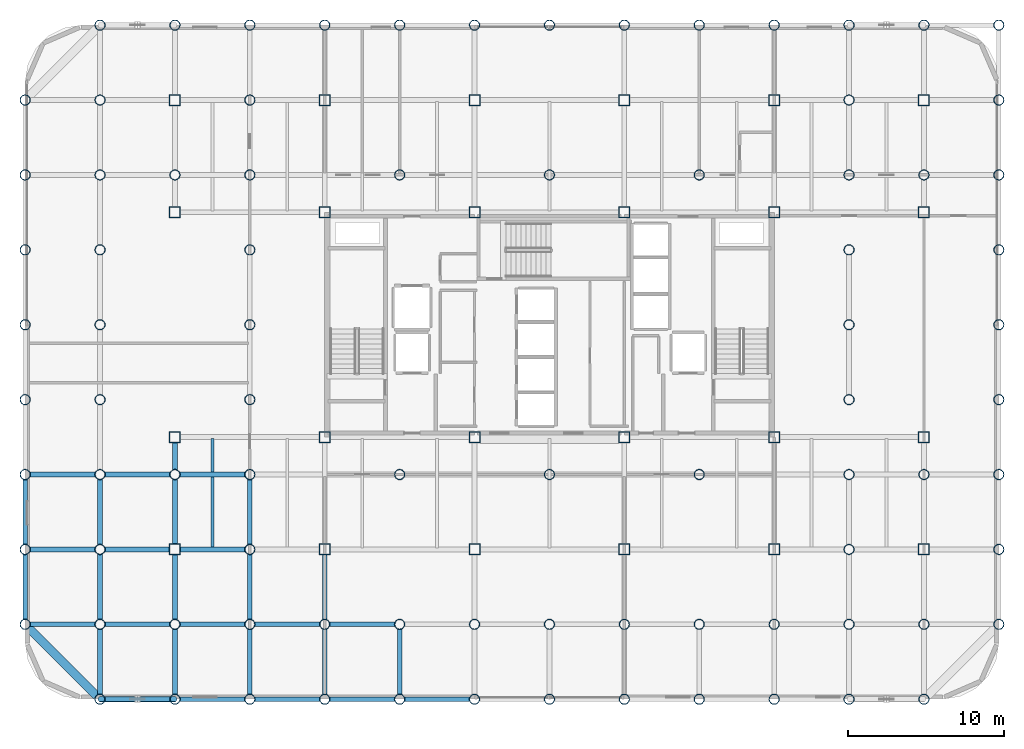
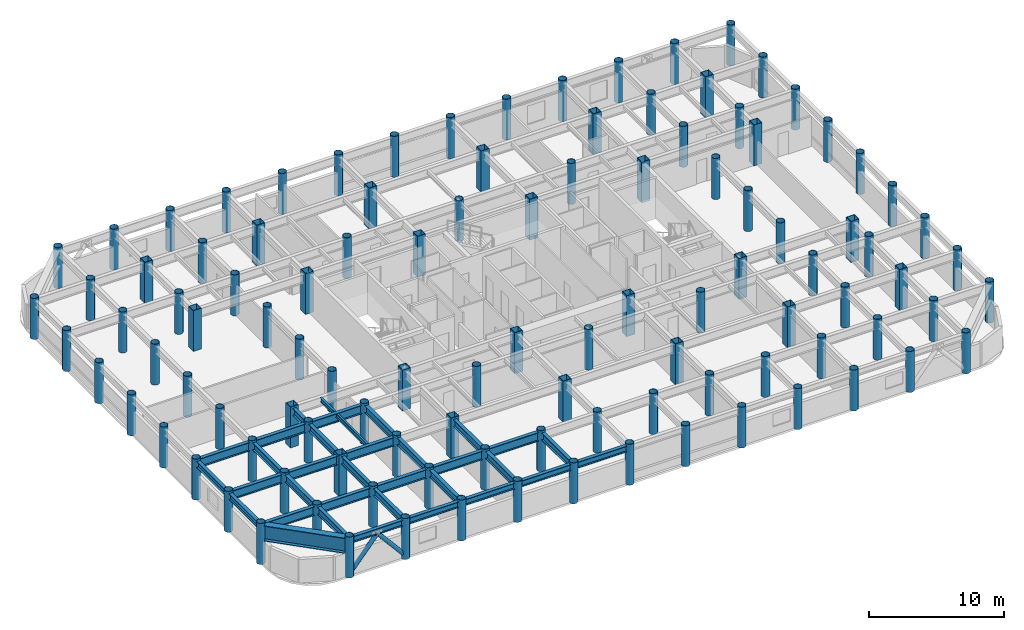
# One storey, part 1 of 19: 108 columns, 33 beams, 2 members.
"""IFC4 building model written with IfcOpenShell, lengths in metres."""

from ifc_helpers import new_model, si_unit, direction, frame, origin, origin_2d, place, context, subcontext, project, spatial, hollow_rectangle, hollow_circle, i_section, extrude, material, material_profile, profile_set, type_object, element, save


model = new_model("IFC4")

# Units and contexts
model_context = context("Model", 3, precision=1e-05, world=origin(), true_north=direction((0.0, 1.0)))
body_context = subcontext(model_context, "Body", "Model", "MODEL_VIEW")
ifc_project = project(units=[si_unit("LENGTHUNIT", "METRE"), si_unit("AREAUNIT", "SQUARE_METRE"), si_unit("VOLUMEUNIT", "CUBIC_METRE"), si_unit("PLANEANGLEUNIT", "RADIAN"), si_unit("MASSUNIT", "GRAM", prefix="KILO")], contexts=[model_context])

# Site, building, storey
site_placement = place(None, origin())
site = spatial("IfcSite", under=ifc_project, at=site_placement, CompositionType="ELEMENT")
building_placement = place(site_placement, origin())
building = spatial("IfcBuilding", under=site, at=building_placement, Name="Kallvorn Hotel Tower", CompositionType="ELEMENT")
storey_placement = place(building_placement, frame((0.0, 0.0, 169.199951171875)))
storey = spatial("IfcBuildingStorey", under=building, at=storey_placement, Name="L42", CompositionType="ELEMENT", Elevation=169.199951171875)

# Columns
ifc_material_1 = material(Name="Structural steel S355J2H", Category="steel")
ifc_material_profile_1 = material_profile(ifc_material_1, hollow_circle(Radius=0.330078125, WallThickness=0.028076171875, at=origin_2d()), Name="CHS 660x28")
ifc_profile_set_1 = profile_set([ifc_material_profile_1], Name="Structural steel S355J2H")
column_type_1 = type_object("IfcColumnType", Name="COL_CHS_660", PredefinedType="COLUMN", material=ifc_profile_set_1)
for number, where, z_axis, x_axis, name in (
    (1, (-33.60009765625, -19.199951171875, 0.0), (0.0, 0.0, 1.0), (1.0, 0.0, 0.0), "L42 Exoskeleton Column EC01"),
    (2, (-33.60009765625, -14.39990234375, 0.0), (0.0, 0.0, 1.0), (1.0, 0.0, 0.0), "L42 Exoskeleton Column EC02"),
    (3, (-33.60009765625, -9.60009765625, 0.0), (0.0, 0.0, 1.0), (1.0, 0.0, 0.0), "L42 Exoskeleton Column EC03"),
    (4, (-33.60009765625, -4.800048828125, 0.0), (0.0, 0.0, 1.0), (1.0, 0.0, 0.0), "L42 Exoskeleton Column EC04"),
    (5, (-33.60009765625, 0.0, 0.0), (0.0, 0.0, 1.0), (1.0, 0.0, 0.0), "L42 Exoskeleton Column EC05"),
    (6, (-33.60009765625, 4.800048828125, 0.0), (0.0, 0.0, 1.0), (1.0, 0.0, 0.0), "L42 Exoskeleton Column EC06"),
    (7, (-33.60009765625, 9.60009765625, 0.0), (0.0, 0.0, 1.0), (1.0, 0.0, 0.0), "L42 Exoskeleton Column EC07"),
    (8, (-33.60009765625, 14.39990234375, 0.0), (0.0, 0.0, 1.0), (1.0, 0.0, 0.0), "L42 Exoskeleton Column EC08"),
    (9, (-28.800048828125, -24.0, 0.0), (0.0, 0.0, 1.0), (1.0, 0.0, 0.0), "L42 Exoskeleton Column EC09"),
    (10, (-28.800048828125, -19.199951171875, 0.0), (0.0, 0.0, 1.0), (1.0, 0.0, 0.0), "L42 Exoskeleton Column EC10"),
    (11, (-28.800048828125, -14.39990234375, 0.0), (0.0, 0.0, 1.0), (1.0, 0.0, 0.0), "L42 Exoskeleton Column EC11"),
    (12, (-28.800048828125, -9.60009765625, 0.0), (0.0, 0.0, 1.0), (1.0, 0.0, 0.0), "L42 Exoskeleton Column EC12"),
    (13, (-28.800048828125, -4.800048828125, 0.0), (0.0, 0.0, 1.0), (1.0, 0.0, 0.0), "L42 Exoskeleton Column EC13"),
    (14, (-28.800048828125, 0.0, 0.0), (0.0, 0.0, 1.0), (1.0, 0.0, 0.0), "L42 Exoskeleton Column EC14"),
    (15, (-28.800048828125, 4.800048828125, 0.0), (0.0, 0.0, 1.0), (1.0, 0.0, 0.0), "L42 Exoskeleton Column EC15"),
    (16, (-28.800048828125, 9.60009765625, 0.0), (0.0, 0.0, 1.0), (1.0, 0.0, 0.0), "L42 Exoskeleton Column EC16"),
    (17, (-28.800048828125, 14.39990234375, 0.0), (0.0, 0.0, 1.0), (1.0, 0.0, 0.0), "L42 Exoskeleton Column EC17"),
    (18, (-28.800048828125, 19.199951171875, 0.0), (0.0, 0.0, 1.0), (1.0, 0.0, 0.0), "L42 Exoskeleton Column EC18"),
    (19, (-24.0, -24.0, 0.0), (0.0, 0.0, 1.0), (1.0, 0.0, 0.0), "L42 Exoskeleton Column EC19"),
    (20, (-24.0, -19.199951171875, 0.0), (0.0, 0.0, 1.0), (1.0, 0.0, 0.0), "L42 Exoskeleton Column EC20"),
    (21, (-24.0, -9.60009765625, 0.0), (0.0, 0.0, 1.0), (1.0, 0.0, 0.0), "L42 Exoskeleton Column EC21"),
    (22, (-24.0, 9.60009765625, 0.0), (0.0, 0.0, 1.0), (1.0, 0.0, 0.0), "L42 Exoskeleton Column EC22"),
    (23, (-24.0, 19.199951171875, 0.0), (0.0, 0.0, 1.0), (1.0, 0.0, 0.0), "L42 Exoskeleton Column EC23"),
    (24, (-19.199951171875, -24.0, 0.0), (0.0, 0.0, 1.0), (1.0, 0.0, 0.0), "L42 Exoskeleton Column EC24"),
    (25, (-19.199951171875, -19.199951171875, 0.0), (0.0, 0.0, 1.0), (1.0, 0.0, 0.0), "L42 Exoskeleton Column EC25"),
    (26, (-19.199951171875, -14.39990234375, 0.0), (0.0, 0.0, 1.0), (1.0, 0.0, 0.0), "L42 Exoskeleton Column EC26"),
    (27, (-19.199951171875, -9.60009765625, 0.0), (0.0, 0.0, 1.0), (1.0, 0.0, 0.0), "L42 Exoskeleton Column EC27"),
    (28, (-19.199951171875, -4.800048828125, 0.0), (0.0, 0.0, 1.0), (1.0, 0.0, 0.0), "L42 Exoskeleton Column EC28"),
    (29, (-19.199951171875, 0.0, 0.0), (0.0, 0.0, 1.0), (1.0, 0.0, 0.0), "L42 Exoskeleton Column EC29"),
    (30, (-19.199951171875, 4.800048828125, 0.0), (0.0, 0.0, 1.0), (1.0, 0.0, 0.0), "L42 Exoskeleton Column EC30"),
    (31, (-19.199951171875, 9.60009765625, 0.0), (0.0, 0.0, 1.0), (1.0, 0.0, 0.0), "L42 Exoskeleton Column EC31"),
    (32, (-19.199951171875, 14.39990234375, 0.0), (0.0, 0.0, 1.0), (1.0, 0.0, 0.0), "L42 Exoskeleton Column EC32"),
    (33, (-19.199951171875, 19.199951171875, 0.0), (0.0, 0.0, 1.0), (1.0, 0.0, 0.0), "L42 Exoskeleton Column EC33"),
    (34, (-14.39990234375, -24.0, 0.0), (0.0, 0.0, 1.0), (1.0, 0.0, 0.0), "L42 Exoskeleton Column EC34"),
    (35, (-14.39990234375, -19.199951171875, 0.0), (0.0, 0.0, 1.0), (1.0, 0.0, 0.0), "L42 Exoskeleton Column EC35"),
    (36, (-14.39990234375, 19.199951171875, 0.0), (0.0, 0.0, 1.0), (1.0, 0.0, 0.0), "L42 Exoskeleton Column EC36"),
    (37, (-9.60009765625, -24.0, 0.0), (0.0, 0.0, 1.0), (1.0, 0.0, 0.0), "L42 Exoskeleton Column EC37"),
    (38, (-9.60009765625, -19.199951171875, 0.0), (0.0, 0.0, 1.0), (1.0, 0.0, 0.0), "L42 Exoskeleton Column EC38"),
    (39, (-9.60009765625, -9.60009765625, 0.0), (0.0, 0.0, 1.0), (1.0, 0.0, 0.0), "L42 Exoskeleton Column EC39"),
    (40, (-9.60009765625, 9.60009765625, 0.0), (0.0, 0.0, 1.0), (1.0, 0.0, 0.0), "L42 Exoskeleton Column EC40"),
    (41, (-9.60009765625, 19.199951171875, 0.0), (0.0, 0.0, 1.0), (1.0, 0.0, 0.0), "L42 Exoskeleton Column EC41"),
    (42, (-4.800048828125, -24.0, 0.0), (0.0, 0.0, 1.0), (1.0, 0.0, 0.0), "L42 Exoskeleton Column EC42"),
    (43, (-4.800048828125, -19.199951171875, 0.0), (0.0, 0.0, 1.0), (1.0, 0.0, 0.0), "L42 Exoskeleton Column EC43"),
    (44, (-4.800048828125, 19.199951171875, 0.0), (0.0, 0.0, 1.0), (1.0, 0.0, 0.0), "L42 Exoskeleton Column EC44"),
    (45, (0.0, -24.0, 0.0), (0.0, 0.0, 1.0), (1.0, 0.0, 0.0), "L42 Exoskeleton Column EC45"),
    (46, (0.0, -19.199951171875, 0.0), (0.0, 0.0, 1.0), (1.0, 0.0, 0.0), "L42 Exoskeleton Column EC46"),
    (47, (0.0, -9.60009765625, 0.0), (0.0, 0.0, 1.0), (1.0, 0.0, 0.0), "L42 Exoskeleton Column EC47"),
    (48, (0.0, 9.60009765625, 0.0), (0.0, 0.0, 1.0), (1.0, 0.0, 0.0), "L42 Exoskeleton Column EC48"),
    (49, (0.0, 19.199951171875, 0.0), (0.0, 0.0, 1.0), (1.0, 0.0, 0.0), "L42 Exoskeleton Column EC49"),
    (50, (4.800048828125, -24.0, 0.0), (0.0, 0.0, 1.0), (1.0, 0.0, 0.0), "L42 Exoskeleton Column EC50"),
    (51, (4.800048828125, -19.199951171875, 0.0), (0.0, 0.0, 1.0), (1.0, 0.0, 0.0), "L42 Exoskeleton Column EC51"),
    (52, (4.800048828125, 19.199951171875, 0.0), (0.0, 0.0, 1.0), (1.0, 0.0, 0.0), "L42 Exoskeleton Column EC52"),
    (53, (9.60009765625, -24.0, 0.0), (0.0, 0.0, 1.0), (1.0, 0.0, 0.0), "L42 Exoskeleton Column EC53"),
    (54, (9.60009765625, -19.199951171875, 0.0), (0.0, 0.0, 1.0), (1.0, 0.0, 0.0), "L42 Exoskeleton Column EC54"),
    (55, (9.60009765625, -9.60009765625, 0.0), (0.0, 0.0, 1.0), (1.0, 0.0, 0.0), "L42 Exoskeleton Column EC55"),
    (56, (9.60009765625, 9.60009765625, 0.0), (0.0, 0.0, 1.0), (1.0, 0.0, 0.0), "L42 Exoskeleton Column EC56"),
    (57, (9.60009765625, 19.199951171875, 0.0), (0.0, 0.0, 1.0), (1.0, 0.0, 0.0), "L42 Exoskeleton Column EC57"),
    (58, (14.39990234375, -24.0, 0.0), (0.0, 0.0, 1.0), (1.0, 0.0, 0.0), "L42 Exoskeleton Column EC58"),
    (59, (14.39990234375, -19.199951171875, 0.0), (0.0, 0.0, 1.0), (1.0, 0.0, 0.0), "L42 Exoskeleton Column EC59"),
    (60, (14.39990234375, 19.199951171875, 0.0), (0.0, 0.0, 1.0), (1.0, 0.0, 0.0), "L42 Exoskeleton Column EC60"),
    (61, (19.199951171875, -24.0, 0.0), (0.0, 0.0, 1.0), (1.0, 0.0, 0.0), "L42 Exoskeleton Column EC61"),
    (62, (19.199951171875, -19.199951171875, 0.0), (0.0, 0.0, 1.0), (1.0, 0.0, 0.0), "L42 Exoskeleton Column EC62"),
    (63, (19.199951171875, -14.39990234375, 0.0), (0.0, 0.0, 1.0), (1.0, 0.0, 0.0), "L42 Exoskeleton Column EC63"),
    (64, (19.199951171875, -9.60009765625, 0.0), (0.0, 0.0, 1.0), (1.0, 0.0, 0.0), "L42 Exoskeleton Column EC64"),
    (65, (19.199951171875, -4.800048828125, 0.0), (0.0, 0.0, 1.0), (1.0, 0.0, 0.0), "L42 Exoskeleton Column EC65"),
    (66, (19.199951171875, 0.0, 0.0), (0.0, 0.0, 1.0), (1.0, 0.0, 0.0), "L42 Exoskeleton Column EC66"),
    (67, (19.199951171875, 4.800048828125, 0.0), (0.0, 0.0, 1.0), (1.0, 0.0, 0.0), "L42 Exoskeleton Column EC67"),
    (68, (19.199951171875, 9.60009765625, 0.0), (0.0, 0.0, 1.0), (1.0, 0.0, 0.0), "L42 Exoskeleton Column EC68"),
    (69, (19.199951171875, 14.39990234375, 0.0), (0.0, 0.0, 1.0), (1.0, 0.0, 0.0), "L42 Exoskeleton Column EC69"),
    (70, (19.199951171875, 19.199951171875, 0.0), (0.0, 0.0, 1.0), (1.0, 0.0, 0.0), "L42 Exoskeleton Column EC70"),
    (71, (24.0, -24.0, 0.0), (0.0, 0.0, 1.0), (1.0, 0.0, 0.0), "L42 Exoskeleton Column EC71"),
    (72, (24.0, -19.199951171875, 0.0), (0.0, 0.0, 1.0), (1.0, 0.0, 0.0), "L42 Exoskeleton Column EC72"),
    (73, (24.0, -9.60009765625, 0.0), (0.0, 0.0, 1.0), (1.0, 0.0, 0.0), "L42 Exoskeleton Column EC73"),
    (74, (24.0, 9.60009765625, 0.0), (0.0, 0.0, 1.0), (1.0, 0.0, 0.0), "L42 Exoskeleton Column EC74"),
    (75, (24.0, 19.199951171875, 0.0), (0.0, 0.0, 1.0), (1.0, 0.0, 0.0), "L42 Exoskeleton Column EC75"),
    (76, (28.800048828125, -19.199951171875, 0.0), (0.0, 0.0, 1.0), (1.0, 0.0, 0.0), "L42 Exoskeleton Column EC76"),
    (77, (28.800048828125, -14.39990234375, 0.0), (0.0, 0.0, 1.0), (1.0, 0.0, 0.0), "L42 Exoskeleton Column EC77"),
    (78, (28.800048828125, -9.60009765625, 0.0), (0.0, 0.0, 1.0), (1.0, 0.0, 0.0), "L42 Exoskeleton Column EC78"),
    (79, (28.800048828125, -4.800048828125, 0.0), (0.0, 0.0, 1.0), (1.0, 0.0, 0.0), "L42 Exoskeleton Column EC79"),
    (80, (28.800048828125, 0.0, 0.0), (0.0, 0.0, 1.0), (1.0, 0.0, 0.0), "L42 Exoskeleton Column EC80"),
    (81, (28.800048828125, 4.800048828125, 0.0), (0.0, 0.0, 1.0), (1.0, 0.0, 0.0), "L42 Exoskeleton Column EC81"),
    (82, (28.800048828125, 9.60009765625, 0.0), (0.0, 0.0, 1.0), (1.0, 0.0, 0.0), "L42 Exoskeleton Column EC82"),
    (83, (28.800048828125, 14.39990234375, 0.0), (0.0, 0.0, 1.0), (1.0, 0.0, 0.0), "L42 Exoskeleton Column EC83"),
    (84, (28.800048828125, 19.199951171875, 0.0), (0.0, 0.0, 1.0), (1.0, 0.0, 0.0), "L42 Exoskeleton Column EC84"),
):
    element("IfcColumn", number, at=place(storey_placement, frame(where, z_axis=z_axis, x_axis=x_axis)), inside=storey, type_object=column_type_1, Name=name, PredefinedType="COLUMN", context=body_context, shape_type="SweptSolid", body=[
        extrude(hollow_circle(Radius=0.330078125, WallThickness=0.028076171875, at=origin_2d()), origin(), (0.0, 0.0, 1.0), 3.699951171875),
    ])
ifc_material_2 = material(Name="Structural steel S355J2H", Category="steel")
ifc_material_profile_2 = material_profile(ifc_material_2, hollow_rectangle(XDim=0.699951171875, YDim=0.699951171875, WallThickness=0.031982421875, at=origin_2d()), Name="RHS 700x700x32")
ifc_profile_set_2 = profile_set([ifc_material_profile_2], Name="Structural steel S355J2H")
column_type_2 = type_object("IfcColumnType", Name="COL_RHS_700", PredefinedType="COLUMN", material=ifc_profile_set_2)
for number, where, z_axis, x_axis, name in (
    (85, (-24.0, -14.39990234375, 0.0), (0.0, 0.0, 1.0), (1.0, 0.0, 0.0), "L42 Inner Column IC01"),
    (86, (-24.0, -7.199951171875, 0.0), (0.0, 0.0, 1.0), (1.0, 0.0, 0.0), "L42 Inner Column IC02"),
    (87, (-24.0, 7.199951171875, 0.0), (0.0, 0.0, 1.0), (1.0, 0.0, 0.0), "L42 Inner Column IC03"),
    (88, (-24.0, 14.39990234375, 0.0), (0.0, 0.0, 1.0), (1.0, 0.0, 0.0), "L42 Inner Column IC04"),
    (89, (-14.39990234375, -14.39990234375, 0.0), (0.0, 0.0, 1.0), (1.0, 0.0, 0.0), "L42 Inner Column IC05"),
    (90, (-14.39990234375, -7.199951171875, 0.0), (0.0, 0.0, 1.0), (1.0, 0.0, 0.0), "L42 Inner Column IC06"),
    (91, (-14.39990234375, 7.199951171875, 0.0), (0.0, 0.0, 1.0), (1.0, 0.0, 0.0), "L42 Inner Column IC07"),
    (92, (-14.39990234375, 14.39990234375, 0.0), (0.0, 0.0, 1.0), (1.0, 0.0, 0.0), "L42 Inner Column IC08"),
    (93, (-4.800048828125, -14.39990234375, 0.0), (0.0, 0.0, 1.0), (1.0, 0.0, 0.0), "L42 Inner Column IC09"),
    (94, (-4.800048828125, -7.199951171875, 0.0), (0.0, 0.0, 1.0), (1.0, 0.0, 0.0), "L42 Inner Column IC10"),
    (95, (-4.800048828125, 7.199951171875, 0.0), (0.0, 0.0, 1.0), (1.0, 0.0, 0.0), "L42 Inner Column IC11"),
    (96, (-4.800048828125, 14.39990234375, 0.0), (0.0, 0.0, 1.0), (1.0, 0.0, 0.0), "L42 Inner Column IC12"),
    (97, (4.800048828125, -14.39990234375, 0.0), (0.0, 0.0, 1.0), (1.0, 0.0, 0.0), "L42 Inner Column IC13"),
    (98, (4.800048828125, -7.199951171875, 0.0), (0.0, 0.0, 1.0), (1.0, 0.0, 0.0), "L42 Inner Column IC14"),
    (99, (4.800048828125, 7.199951171875, 0.0), (0.0, 0.0, 1.0), (1.0, 0.0, 0.0), "L42 Inner Column IC15"),
    (100, (4.800048828125, 14.39990234375, 0.0), (0.0, 0.0, 1.0), (1.0, 0.0, 0.0), "L42 Inner Column IC16"),
    (101, (14.39990234375, -14.39990234375, 0.0), (0.0, 0.0, 1.0), (1.0, 0.0, 0.0), "L42 Inner Column IC17"),
    (102, (14.39990234375, -7.199951171875, 0.0), (0.0, 0.0, 1.0), (1.0, 0.0, 0.0), "L42 Inner Column IC18"),
    (103, (14.39990234375, 7.199951171875, 0.0), (0.0, 0.0, 1.0), (1.0, 0.0, 0.0), "L42 Inner Column IC19"),
    (104, (14.39990234375, 14.39990234375, 0.0), (0.0, 0.0, 1.0), (1.0, 0.0, 0.0), "L42 Inner Column IC20"),
    (105, (24.0, -14.39990234375, 0.0), (0.0, 0.0, 1.0), (1.0, 0.0, 0.0), "L42 Inner Column IC21"),
    (106, (24.0, -7.199951171875, 0.0), (0.0, 0.0, 1.0), (1.0, 0.0, 0.0), "L42 Inner Column IC22"),
    (107, (24.0, 7.199951171875, 0.0), (0.0, 0.0, 1.0), (1.0, 0.0, 0.0), "L42 Inner Column IC23"),
    (108, (24.0, 14.39990234375, 0.0), (0.0, 0.0, 1.0), (1.0, 0.0, 0.0), "L42 Inner Column IC24"),
):
    element("IfcColumn", number, at=place(storey_placement, frame(where, z_axis=z_axis, x_axis=x_axis)), inside=storey, type_object=column_type_2, Name=name, PredefinedType="COLUMN", context=body_context, shape_type="SweptSolid", body=[
        extrude(hollow_rectangle(XDim=0.699951171875, YDim=0.699951171875, WallThickness=0.031982421875, at=origin_2d()), origin(), (0.0, 0.0, 1.0), 3.699951171875),
    ])

# Beams
ifc_material_3 = material(Name="Structural steel S355JR", Category="steel")
ifc_material_profile_3 = material_profile(ifc_material_3, i_section(OverallWidth=0.300048828125, OverallDepth=0.550048828125, WebThickness=0.014892578125, FlangeThickness=0.029052734375, at=origin_2d()), Name="HE 550 B")
ifc_profile_set_3 = profile_set([ifc_material_profile_3], Name="Structural steel S355JR")
beam_type_1 = type_object("IfcBeamType", Name="BM_HE550B", PredefinedType="SPANDREL", material=ifc_profile_set_3)
for number, where, z_axis, x_axis, name in (
    (109, (-28.47998046875, -24.0, 3.2451171875), (1.0, 0.0, 0.0), (0.0, 1.0, 0.0), "L43 Perimeter Spandrel 151"),
    (110, (-23.679931640625, -24.0, 3.2451171875), (1.0, 0.0, 0.0), (0.0, 1.0, 0.0), "L43 Perimeter Spandrel 152"),
    (111, (-18.8798828125, -24.0, 3.2451171875), (1.0, 0.0, 0.0), (0.0, 1.0, 0.0), "L43 Perimeter Spandrel 153"),
):
    element("IfcBeam", number, at=place(storey_placement, frame(where, z_axis=z_axis, x_axis=x_axis)), inside=storey, type_object=beam_type_1, Name=name, PredefinedType="SPANDREL", context=body_context, shape_type="SweptSolid", body=[
        extrude(i_section(OverallWidth=0.300048828125, OverallDepth=0.550048828125, WebThickness=0.014892578125, FlangeThickness=0.029052734375, at=origin_2d()), origin(), (0.0, 0.0, 1.0), 4.159912109375),
    ])
beam_1_placement = place(storey_placement, frame((-14.080078125, -24.0, 3.2451171875), z_axis=(1.0, 0.0, 0.0), x_axis=(0.0, 1.0, 0.0)))
element("IfcBeam", 112, at=beam_1_placement, inside=storey, type_object=beam_type_1, Name="L43 Perimeter Spandrel 154", PredefinedType="SPANDREL", context=body_context, shape_type="SweptSolid", body=[
    extrude(i_section(OverallWidth=0.300048828125, OverallDepth=0.550048828125, WebThickness=0.014892578125, FlangeThickness=0.029052734375, at=origin_2d()), origin(), (0.0, 0.0, 1.0), 4.16015625),
])
for number, where, z_axis, x_axis, name in (
    (113, (-9.280029296875, -24.0, 3.2451171875), (1.0, 0.0, 0.0), (0.0, 1.0, 0.0), "L43 Perimeter Spandrel 155"),
    (114, (-33.60009765625, -18.8798828125, 3.2451171875), (0.0, 1.0, 0.0), (-1.0, 0.0, 0.0), "L43 Perimeter Spandrel 174"),
):
    element("IfcBeam", number, at=place(storey_placement, frame(where, z_axis=z_axis, x_axis=x_axis)), inside=storey, type_object=beam_type_1, Name=name, PredefinedType="SPANDREL", context=body_context, shape_type="SweptSolid", body=[
        extrude(i_section(OverallWidth=0.300048828125, OverallDepth=0.550048828125, WebThickness=0.014892578125, FlangeThickness=0.029052734375, at=origin_2d()), origin(), (0.0, 0.0, 1.0), 4.159912109375),
    ])
beam_2_placement = place(storey_placement, frame((-33.60009765625, -14.080078125, 3.2451171875), z_axis=(0.0, 1.0, 0.0), x_axis=(-1.0, 0.0, 0.0)))
element("IfcBeam", 115, at=beam_2_placement, inside=storey, type_object=beam_type_1, Name="L43 Perimeter Spandrel 175", PredefinedType="SPANDREL", context=body_context, shape_type="SweptSolid", body=[
    extrude(i_section(OverallWidth=0.300048828125, OverallDepth=0.550048828125, WebThickness=0.014892578125, FlangeThickness=0.029052734375, at=origin_2d()), origin(), (0.0, 0.0, 1.0), 4.16015625),
])
ifc_material_4 = material(Name="Structural steel S355JR", Category="steel")
ifc_material_profile_4 = material_profile(ifc_material_4, i_section(OverallWidth=0.300048828125, OverallDepth=0.64990234375, WebThickness=0.01611328125, FlangeThickness=0.031005859375, at=origin_2d()), Name="HE 650 B")
ifc_profile_set_4 = profile_set([ifc_material_profile_4], Name="Structural steel S355JR")
beam_type_2 = type_object("IfcBeamType", Name="BM_HE650B", PredefinedType="BEAM", material=ifc_profile_set_4)
beam_3_placement = place(storey_placement, frame((-28.800048828125, -23.695068359375, 3.195068359375), z_axis=(0.0, 1.0, 0.0), x_axis=(-1.0, 0.0, 0.0)))
element("IfcBeam", 116, at=beam_3_placement, inside=storey, type_object=beam_type_2, Name="L43 Primary Y-Girder 73", PredefinedType="BEAM", context=body_context, shape_type="SweptSolid", body=[
    extrude(i_section(OverallWidth=0.300048828125, OverallDepth=0.64990234375, WebThickness=0.01611328125, FlangeThickness=0.031005859375, at=origin_2d()), origin(), (0.0, 0.0, 1.0), 4.190185546875),
])
for number, where, z_axis, x_axis, name in (
    (117, (-28.800048828125, -18.89501953125, 3.195068359375), (0.0, 1.0, 0.0), (-1.0, 0.0, 0.0), "L43 Primary Y-Girder 74"),
    (118, (-28.800048828125, -14.094970703125, 3.195068359375), (0.0, 1.0, 0.0), (-1.0, 0.0, 0.0), "L43 Primary Y-Girder 75"),
):
    element("IfcBeam", number, at=place(storey_placement, frame(where, z_axis=z_axis, x_axis=x_axis)), inside=storey, type_object=beam_type_2, Name=name, PredefinedType="BEAM", context=body_context, shape_type="SweptSolid", body=[
        extrude(i_section(OverallWidth=0.300048828125, OverallDepth=0.64990234375, WebThickness=0.01611328125, FlangeThickness=0.031005859375, at=origin_2d()), origin(), (0.0, 0.0, 1.0), 4.18994140625),
    ])
beam_4_placement = place(storey_placement, frame((-24.0, -23.695068359375, 3.195068359375), z_axis=(0.0, 1.0, 0.0), x_axis=(-1.0, 0.0, 0.0)))
element("IfcBeam", 119, at=beam_4_placement, inside=storey, type_object=beam_type_2, Name="L43 Primary Y-Girder 82", PredefinedType="BEAM", context=body_context, shape_type="SweptSolid", body=[
    extrude(i_section(OverallWidth=0.300048828125, OverallDepth=0.64990234375, WebThickness=0.01611328125, FlangeThickness=0.031005859375, at=origin_2d()), origin(), (0.0, 0.0, 1.0), 4.190185546875),
])
for number, where, z_axis, x_axis, name in (
    (120, (-24.0, -18.89501953125, 3.195068359375), (0.0, 1.0, 0.0), (-1.0, 0.0, 0.0), "L43 Primary Y-Girder 83"),
    (121, (-24.0, -14.074951171875, 3.195068359375), (0.0, 1.0, 0.0), (-1.0, 0.0, 0.0), "L43 Primary Y-Girder 84"),
):
    element("IfcBeam", number, at=place(storey_placement, frame(where, z_axis=z_axis, x_axis=x_axis)), inside=storey, type_object=beam_type_2, Name=name, PredefinedType="BEAM", context=body_context, shape_type="SweptSolid", body=[
        extrude(i_section(OverallWidth=0.300048828125, OverallDepth=0.64990234375, WebThickness=0.01611328125, FlangeThickness=0.031005859375, at=origin_2d()), origin(), (0.0, 0.0, 1.0), 4.169921875),
    ])
beam_5_placement = place(storey_placement, frame((-24.0, -9.294921875, 3.195068359375), z_axis=(0.0, 1.0, 0.0), x_axis=(-1.0, 0.0, 0.0)))
element("IfcBeam", 122, at=beam_5_placement, inside=storey, type_object=beam_type_2, Name="L43 Primary Y-Girder 85", PredefinedType="BEAM", context=body_context, shape_type="SweptSolid", body=[
    extrude(i_section(OverallWidth=0.300048828125, OverallDepth=0.64990234375, WebThickness=0.01611328125, FlangeThickness=0.031005859375, at=origin_2d()), origin(), (0.0, 0.0, 1.0), 1.77001953125),
])
beam_6_placement = place(storey_placement, frame((-19.199951171875, -23.695068359375, 3.195068359375), z_axis=(0.0, 1.0, 0.0), x_axis=(-1.0, 0.0, 0.0)))
element("IfcBeam", 123, at=beam_6_placement, inside=storey, type_object=beam_type_2, Name="L43 Primary Y-Girder 89", PredefinedType="BEAM", context=body_context, shape_type="SweptSolid", body=[
    extrude(i_section(OverallWidth=0.300048828125, OverallDepth=0.64990234375, WebThickness=0.01611328125, FlangeThickness=0.031005859375, at=origin_2d()), origin(), (0.0, 0.0, 1.0), 4.190185546875),
])
for number, where, z_axis, x_axis, name in (
    (124, (-19.199951171875, -18.89501953125, 3.195068359375), (0.0, 1.0, 0.0), (-1.0, 0.0, 0.0), "L43 Primary Y-Girder 90"),
    (125, (-19.199951171875, -14.094970703125, 3.195068359375), (0.0, 1.0, 0.0), (-1.0, 0.0, 0.0), "L43 Primary Y-Girder 91"),
):
    element("IfcBeam", number, at=place(storey_placement, frame(where, z_axis=z_axis, x_axis=x_axis)), inside=storey, type_object=beam_type_2, Name=name, PredefinedType="BEAM", context=body_context, shape_type="SweptSolid", body=[
        extrude(i_section(OverallWidth=0.300048828125, OverallDepth=0.64990234375, WebThickness=0.01611328125, FlangeThickness=0.031005859375, at=origin_2d()), origin(), (0.0, 0.0, 1.0), 4.18994140625),
    ])
beam_7_placement = place(storey_placement, frame((-14.39990234375, -23.695068359375, 3.195068359375), z_axis=(0.0, 1.0, 0.0), x_axis=(-1.0, 0.0, 0.0)))
element("IfcBeam", 126, at=beam_7_placement, inside=storey, type_object=beam_type_2, Name="L43 Primary Y-Girder 98", PredefinedType="BEAM", context=body_context, shape_type="SweptSolid", body=[
    extrude(i_section(OverallWidth=0.300048828125, OverallDepth=0.64990234375, WebThickness=0.01611328125, FlangeThickness=0.031005859375, at=origin_2d()), origin(), (0.0, 0.0, 1.0), 4.190185546875),
])
beam_8_placement = place(storey_placement, frame((-14.39990234375, -18.89501953125, 3.195068359375), z_axis=(0.0, 1.0, 0.0), x_axis=(-1.0, 0.0, 0.0)))
element("IfcBeam", 127, at=beam_8_placement, inside=storey, type_object=beam_type_2, Name="L43 Primary Y-Girder 99", PredefinedType="BEAM", context=body_context, shape_type="SweptSolid", body=[
    extrude(i_section(OverallWidth=0.300048828125, OverallDepth=0.64990234375, WebThickness=0.01611328125, FlangeThickness=0.031005859375, at=origin_2d()), origin(), (0.0, 0.0, 1.0), 4.169921875),
])
beam_9_placement = place(storey_placement, frame((-9.60009765625, -23.695068359375, 3.195068359375), z_axis=(0.0, 1.0, 0.0), x_axis=(-1.0, 0.0, 0.0)))
element("IfcBeam", 128, at=beam_9_placement, inside=storey, type_object=beam_type_2, Name="L43 Primary Y-Girder 103", PredefinedType="BEAM", context=body_context, shape_type="SweptSolid", body=[
    extrude(i_section(OverallWidth=0.300048828125, OverallDepth=0.64990234375, WebThickness=0.01611328125, FlangeThickness=0.031005859375, at=origin_2d()), origin(), (0.0, 0.0, 1.0), 4.190185546875),
])
ifc_material_5 = material(Name="Structural steel S355JR", Category="steel")
ifc_material_profile_5 = material_profile(ifc_material_5, i_section(OverallWidth=0.300048828125, OverallDepth=0.800048828125, WebThickness=0.017578125, FlangeThickness=0.032958984375, at=origin_2d()), Name="HE 800 B")
ifc_profile_set_5 = profile_set([ifc_material_profile_5], Name="Structural steel S355JR")
beam_type_3 = type_object("IfcBeamType", Name="BM_HE800B", PredefinedType="BEAM", material=ifc_profile_set_5)
beam_10_placement = place(storey_placement, frame((-33.294921875, -19.199951171875, 3.1201171875), z_axis=(1.0, 0.0, 0.0), x_axis=(0.0, 1.0, 0.0)))
element("IfcBeam", 129, at=beam_10_placement, inside=storey, type_object=beam_type_3, Name="L43 Primary X-Girder 01", PredefinedType="BEAM", context=body_context, shape_type="SweptSolid", body=[
    extrude(i_section(OverallWidth=0.300048828125, OverallDepth=0.800048828125, WebThickness=0.017578125, FlangeThickness=0.032958984375, at=origin_2d()), origin(), (0.0, 0.0, 1.0), 4.18994140625),
])
for number, where, z_axis, x_axis, name in (
    (130, (-28.4951171875, -19.199951171875, 3.1201171875), (1.0, 0.0, 0.0), (0.0, 1.0, 0.0), "L43 Primary X-Girder 02"),
    (131, (-23.695068359375, -19.199951171875, 3.1201171875), (1.0, 0.0, 0.0), (0.0, 1.0, 0.0), "L43 Primary X-Girder 03"),
):
    element("IfcBeam", number, at=place(storey_placement, frame(where, z_axis=z_axis, x_axis=x_axis)), inside=storey, type_object=beam_type_3, Name=name, PredefinedType="BEAM", context=body_context, shape_type="SweptSolid", body=[
        extrude(i_section(OverallWidth=0.300048828125, OverallDepth=0.800048828125, WebThickness=0.017578125, FlangeThickness=0.032958984375, at=origin_2d()), origin(), (0.0, 0.0, 1.0), 4.190185546875),
    ])
for number, where, z_axis, x_axis, name in (
    (132, (-18.89501953125, -19.199951171875, 3.1201171875), (1.0, 0.0, 0.0), (0.0, 1.0, 0.0), "L43 Primary X-Girder 04"),
    (133, (-14.094970703125, -19.199951171875, 3.1201171875), (1.0, 0.0, 0.0), (0.0, 1.0, 0.0), "L43 Primary X-Girder 05"),
    (134, (-33.294921875, -14.39990234375, 3.1201171875), (1.0, 0.0, 0.0), (0.0, 1.0, 0.0), "L43 Primary X-Girder 14"),
):
    element("IfcBeam", number, at=place(storey_placement, frame(where, z_axis=z_axis, x_axis=x_axis)), inside=storey, type_object=beam_type_3, Name=name, PredefinedType="BEAM", context=body_context, shape_type="SweptSolid", body=[
        extrude(i_section(OverallWidth=0.300048828125, OverallDepth=0.800048828125, WebThickness=0.017578125, FlangeThickness=0.032958984375, at=origin_2d()), origin(), (0.0, 0.0, 1.0), 4.18994140625),
    ])
for number, where, z_axis, x_axis, name in (
    (135, (-28.4951171875, -14.39990234375, 3.1201171875), (1.0, 0.0, 0.0), (0.0, 1.0, 0.0), "L43 Primary X-Girder 15"),
    (136, (-23.675048828125, -14.39990234375, 3.1201171875), (1.0, 0.0, 0.0), (0.0, 1.0, 0.0), "L43 Primary X-Girder 16"),
):
    element("IfcBeam", number, at=place(storey_placement, frame(where, z_axis=z_axis, x_axis=x_axis)), inside=storey, type_object=beam_type_3, Name=name, PredefinedType="BEAM", context=body_context, shape_type="SweptSolid", body=[
        extrude(i_section(OverallWidth=0.300048828125, OverallDepth=0.800048828125, WebThickness=0.017578125, FlangeThickness=0.032958984375, at=origin_2d()), origin(), (0.0, 0.0, 1.0), 4.170166015625),
    ])
beam_11_placement = place(storey_placement, frame((-33.294921875, -9.60009765625, 3.1201171875), z_axis=(1.0, 0.0, 0.0), x_axis=(0.0, 1.0, 0.0)))
element("IfcBeam", 137, at=beam_11_placement, inside=storey, type_object=beam_type_3, Name="L43 Primary X-Girder 24", PredefinedType="BEAM", context=body_context, shape_type="SweptSolid", body=[
    extrude(i_section(OverallWidth=0.300048828125, OverallDepth=0.800048828125, WebThickness=0.017578125, FlangeThickness=0.032958984375, at=origin_2d()), origin(), (0.0, 0.0, 1.0), 4.18994140625),
])
for number, where, z_axis, x_axis, name in (
    (138, (-28.4951171875, -9.60009765625, 3.1201171875), (1.0, 0.0, 0.0), (0.0, 1.0, 0.0), "L43 Primary X-Girder 25"),
    (139, (-23.695068359375, -9.60009765625, 3.1201171875), (1.0, 0.0, 0.0), (0.0, 1.0, 0.0), "L43 Primary X-Girder 26"),
):
    element("IfcBeam", number, at=place(storey_placement, frame(where, z_axis=z_axis, x_axis=x_axis)), inside=storey, type_object=beam_type_3, Name=name, PredefinedType="BEAM", context=body_context, shape_type="SweptSolid", body=[
        extrude(i_section(OverallWidth=0.300048828125, OverallDepth=0.800048828125, WebThickness=0.017578125, FlangeThickness=0.032958984375, at=origin_2d()), origin(), (0.0, 0.0, 1.0), 4.190185546875),
    ])
ifc_material_6 = material(Name="Structural steel S355JR", Category="steel")
ifc_material_profile_6 = material_profile(ifc_material_6, i_section(OverallWidth=0.179931640625, OverallDepth=0.39990234375, WebThickness=0.008544921875, FlangeThickness=0.013427734375, at=origin_2d()), Name="IPE 400")
ifc_profile_set_6 = profile_set([ifc_material_profile_6], Name="Structural steel S355JR")
beam_type_4 = type_object("IfcBeamType", Name="BM_IPE400", PredefinedType="JOIST", material=ifc_profile_set_6)
beam_12_placement = place(storey_placement, frame((-21.60009765625, -14.300048828125, 3.320068359375), z_axis=(0.0, 1.0, 0.0), x_axis=(-1.0, 0.0, 0.0)))
element("IfcBeam", 140, at=beam_12_placement, inside=storey, type_object=beam_type_4, Name="L43 Secondary Composite Joist 192", PredefinedType="JOIST", context=body_context, shape_type="SweptSolid", body=[
    extrude(i_section(OverallWidth=0.179931640625, OverallDepth=0.39990234375, WebThickness=0.008544921875, FlangeThickness=0.013427734375, at=origin_2d()), origin(), (0.0, 0.0, 1.0), 7.0),
])
ifc_material_7 = material(Name="Structural steel S355JR", Category="steel")
ifc_material_profile_7 = material_profile(ifc_material_7, i_section(OverallWidth=0.550048828125, OverallDepth=1.39990234375, WebThickness=0.02490234375, FlangeThickness=0.044921875, at=origin_2d()), Name="PG 1400x550x25x45")
ifc_profile_set_7 = profile_set([ifc_material_profile_7], Name="Structural steel S355JR")
beam_type_5 = type_object("IfcBeamType", Name="BM_PG_1400", PredefinedType="BEAM", material=ifc_profile_set_7)
beam_13_placement = place(storey_placement, frame((-33.373779296875, -19.42626953125, 2.820068359375), z_axis=(0.707106781187, -0.707106781187, 0.0), x_axis=(0.707106781187, 0.707106781187, 0.0)))
element("IfcBeam", 141, at=beam_13_placement, inside=storey, type_object=beam_type_5, Name="L43 Rounded Corner Tie Beam 189", PredefinedType="BEAM", context=body_context, shape_type="SweptSolid", body=[
    extrude(i_section(OverallWidth=0.550048828125, OverallDepth=1.39990234375, WebThickness=0.02490234375, FlangeThickness=0.044921875, at=origin_2d()), origin(), (0.0, 0.0, 1.0), 6.148193359375),
])

# Members
ifc_material_8 = material(Name="Structural steel S355J2H", Category="steel")
ifc_material_profile_8 = material_profile(ifc_material_8, hollow_circle(Radius=0.177734375, WallThickness=0.01416015625, at=origin_2d()), Name="CHS 355.6x14.2")
ifc_profile_set_8 = profile_set([ifc_material_profile_8], Name="Structural steel S355J2H")
member_type = type_object("IfcMemberType", Name="MBR_EXO_CHS355", PredefinedType="BRACE", material=ifc_profile_set_8)
for number, where, z_axis, x_axis, name in (
    (142, (-28.787109375, -24.0, 0.1953125), (0.646833296797, 0.0, 0.762631422218), (0.0, 1.0, 0.0), "L42 Exoskeleton K-Brace S1A"),
    (143, (-24.012939453125, -24.0, 0.1953125), (-0.646833296797, 0.0, 0.762631422218), (0.0, -1.0, 0.0), "L42 Exoskeleton K-Brace S1B"),
):
    element("IfcMember", number, at=place(storey_placement, frame(where, z_axis=z_axis, x_axis=x_axis)), inside=storey, type_object=member_type, Name=name, PredefinedType="BRACE", context=body_context, shape_type="SweptSolid", body=[
        extrude(hollow_circle(Radius=0.177734375, WallThickness=0.01416015625, at=origin_2d()), origin(), (0.0, 0.0, 1.0), 3.670654296875),
    ])

save(model, "model.ifc")
